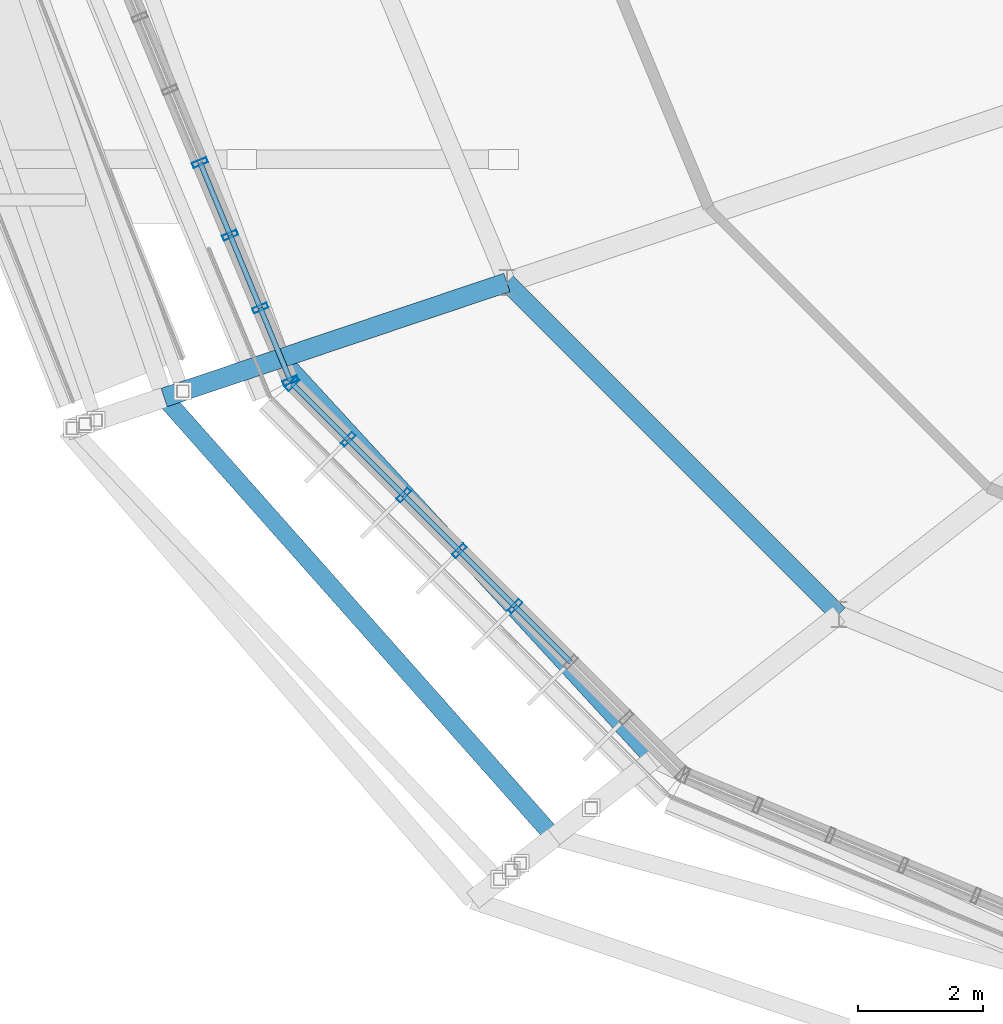
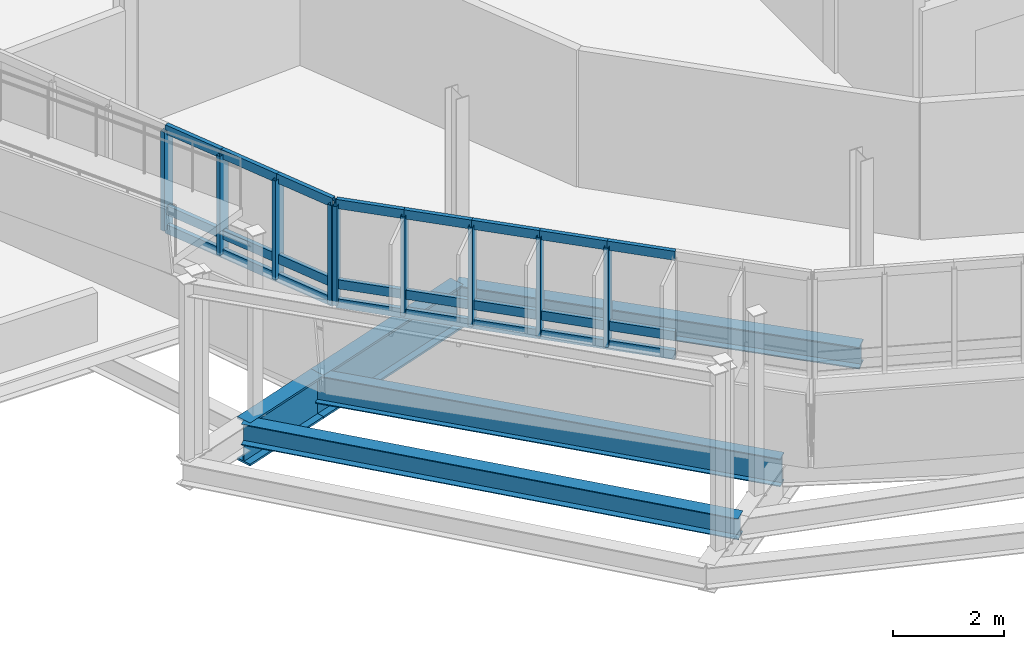
# One storey, part 10 of 61: 33 members, 5 beams, 2 elements without a shape of their own.
"""IFC4 building model written with IfcOpenShell, lengths in metres."""

from ifc_helpers import new_model, si_unit, derived_unit, direction, frame, origin, origin_2d, place, context, subcontext, project, spatial, hollow_rectangle, i_section, extrude, material, layer, layer_set, material_profile, profile_set, type_object, element, aggregate, save


model = new_model("IFC4")

# Units and contexts
model_context = context("Model", 3, precision=1e-05, world=origin(), true_north=direction((0.0, 1.0)))
body_context = subcontext(model_context, "Body", "Model", "MODEL_VIEW")
ifc_project = project(units=[si_unit("LENGTHUNIT", "METRE"), si_unit("AREAUNIT", "SQUARE_METRE"), si_unit("VOLUMEUNIT", "CUBIC_METRE"), si_unit("PLANEANGLEUNIT", "RADIAN"), si_unit("MASSUNIT", "GRAM", prefix="KILO"), derived_unit("THERMALTRANSMITTANCEUNIT", [(si_unit("MASSUNIT", "GRAM", prefix="KILO"), 1), (si_unit("TIMEUNIT", "SECOND"), -3), (si_unit("THERMODYNAMICTEMPERATUREUNIT", "KELVIN"), -1)])], contexts=[model_context])

# Site, building, storey
site_placement = place(None, origin())
site = spatial("IfcSite", under=ifc_project, at=site_placement, CompositionType="ELEMENT")
building_placement = place(site_placement, origin())
building = spatial("IfcBuilding", under=site, at=building_placement, Name="Makaiwela Harbour Ferry Terminal", CompositionType="ELEMENT")
storey_placement = place(building_placement, frame((0.0, 0.0, 13.800048828125)))
storey = spatial("IfcBuildingStorey", under=building, at=storey_placement, Name="L03", CompositionType="ELEMENT", Elevation=13.800048828125)

# Curtain wall, members
ifc_material_1 = material(Name="Marine anodised aluminium 6063-T6", Category="aluminium")
ifc_layer = layer(ifc_material_1, 0.199951171875)
ifc_layer_set = layer_set([ifc_layer], Name="Marine anodised aluminium 6063-T6")
curtain_wall_type = type_object("IfcCurtainWallType", Name="ENV-CW-05", PredefinedType="USERDEFINED", material=ifc_layer_set)
curtain_wall_1_placement = place(storey_placement, origin())
curtain_wall_1 = element("IfcCurtainWall", 1, at=curtain_wall_1_placement, inside=storey, type_object=curtain_wall_type, Name="Unitised Curtain Wall CWA-036", ObjectType="UNITIZED CURTAIN WALL", PredefinedType="USERDEFINED")
ifc_material_profile_1 = material_profile(ifc_material_1, hollow_rectangle(XDim=0.0849609375, YDim=0.25, WallThickness=0.0048828125, at=origin_2d()), Name="CWM-250X85")
ifc_profile_set_1 = profile_set([ifc_material_profile_1], Name="Marine anodised aluminium 6063-T6")
member_type_1 = type_object("IfcMemberType", Name="CW-MUL-250", PredefinedType="MULLION", material=ifc_profile_set_1)
member_1_placement = place(storey_placement, frame((16.1318359375, 59.29931640625, 1.47998046875), z_axis=(0.0, 0.0, 1.0), x_axis=(-0.382683432365, 0.923879532511, 0.0)))
member_1 = element("IfcMember", 2, at=member_1_placement, type_object=member_type_1, Name="Curtain Wall Mullion CWA-036-5", PredefinedType="MULLION", context=body_context, shape_type="SweptSolid", body=[
    extrude(hollow_rectangle(XDim=0.0849609375, YDim=0.25, WallThickness=0.0048828125, at=origin_2d()), origin(), (0.0, 0.0, 1.0), 2.179931640625),
])
member_2_placement = place(storey_placement, frame((16.614990234375, 58.133056640625, 1.47998046875), z_axis=(0.0, 0.0, 1.0), x_axis=(-0.382683432365, 0.923879532511, 0.0)))
member_2 = element("IfcMember", 3, at=member_2_placement, type_object=member_type_1, Name="Curtain Wall Mullion CWA-036-6", PredefinedType="MULLION", context=body_context, shape_type="SweptSolid", body=[
    extrude(hollow_rectangle(XDim=0.0849609375, YDim=0.25, WallThickness=0.0048828125, at=origin_2d()), origin(), (0.0, 0.0, 1.0), 2.179931640625),
])
member_3_placement = place(storey_placement, frame((17.097900390625, 56.966796875, 1.47998046875), z_axis=(0.0, 0.0, 1.0), x_axis=(-0.382683432365, 0.923879532511, 0.0)))
member_3 = element("IfcMember", 4, at=member_3_placement, type_object=member_type_1, Name="Curtain Wall Mullion CWA-036-7", PredefinedType="MULLION", context=body_context, shape_type="SweptSolid", body=[
    extrude(hollow_rectangle(XDim=0.0849609375, YDim=0.25, WallThickness=0.0048828125, at=origin_2d()), origin(), (0.0, 0.0, 1.0), 2.179931640625),
])
member_4_placement = place(storey_placement, frame((17.5810546875, 55.80078125, 1.47998046875), z_axis=(0.0, 0.0, 1.0), x_axis=(-0.382683432365, 0.923879532511, 0.0)))
member_4 = element("IfcMember", 5, at=member_4_placement, type_object=member_type_1, Name="Curtain Wall Mullion CWA-036-8", PredefinedType="MULLION", context=body_context, shape_type="SweptSolid", body=[
    extrude(hollow_rectangle(XDim=0.0849609375, YDim=0.25, WallThickness=0.0048828125, at=origin_2d()), origin(), (0.0, 0.0, 1.0), 2.179931640625),
])

curtain_wall_2_placement = place(storey_placement, origin())
curtain_wall_2 = element("IfcCurtainWall", 6, at=curtain_wall_2_placement, inside=storey, type_object=curtain_wall_type, Name="Unitised Curtain Wall CWA-037", ObjectType="UNITIZED CURTAIN WALL", PredefinedType="USERDEFINED")
member_5_placement = place(storey_placement, frame((17.61376953125, 55.751708984375, 1.47998046875), z_axis=(0.0, 0.0, 1.0), x_axis=(-0.707106781187, 0.707106781187, 0.0)))
member_5 = element("IfcMember", 7, at=member_5_placement, type_object=member_type_1, Name="Curtain Wall Mullion CWA-037-1", PredefinedType="MULLION", context=body_context, shape_type="SweptSolid", body=[
    extrude(hollow_rectangle(XDim=0.0849609375, YDim=0.25, WallThickness=0.0048828125, at=origin_2d()), origin(), (0.0, 0.0, 1.0), 2.179931640625),
])
member_6_placement = place(storey_placement, frame((18.50634765625, 54.859130859375, 1.47998046875), z_axis=(0.0, 0.0, 1.0), x_axis=(-0.707106781187, 0.707106781187, 0.0)))
member_6 = element("IfcMember", 8, at=member_6_placement, type_object=member_type_1, Name="Curtain Wall Mullion CWA-037-2", PredefinedType="MULLION", context=body_context, shape_type="SweptSolid", body=[
    extrude(hollow_rectangle(XDim=0.0849609375, YDim=0.25, WallThickness=0.0048828125, at=origin_2d()), origin(), (0.0, 0.0, 1.0), 2.179931640625),
])
member_7_placement = place(storey_placement, frame((19.39892578125, 53.966552734375, 1.47998046875), z_axis=(0.0, 0.0, 1.0), x_axis=(-0.707106781187, 0.707106781187, 0.0)))
member_7 = element("IfcMember", 9, at=member_7_placement, type_object=member_type_1, Name="Curtain Wall Mullion CWA-037-3", PredefinedType="MULLION", context=body_context, shape_type="SweptSolid", body=[
    extrude(hollow_rectangle(XDim=0.0849609375, YDim=0.25, WallThickness=0.0048828125, at=origin_2d()), origin(), (0.0, 0.0, 1.0), 2.179931640625),
])
member_8_placement = place(storey_placement, frame((20.29150390625, 53.073974609375, 1.47998046875), z_axis=(0.0, 0.0, 1.0), x_axis=(-0.707106781187, 0.707106781187, 0.0)))
member_8 = element("IfcMember", 10, at=member_8_placement, type_object=member_type_1, Name="Curtain Wall Mullion CWA-037-4", PredefinedType="MULLION", context=body_context, shape_type="SweptSolid", body=[
    extrude(hollow_rectangle(XDim=0.0849609375, YDim=0.25, WallThickness=0.0048828125, at=origin_2d()), origin(), (0.0, 0.0, 1.0), 2.179931640625),
])
member_9_placement = place(storey_placement, frame((21.18408203125, 52.181396484375, 1.47998046875), z_axis=(0.0, 0.0, 1.0), x_axis=(-0.707106781187, 0.707106781187, 0.0)))
member_9 = element("IfcMember", 11, at=member_9_placement, type_object=member_type_1, Name="Curtain Wall Mullion CWA-037-5", PredefinedType="MULLION", context=body_context, shape_type="SweptSolid", body=[
    extrude(hollow_rectangle(XDim=0.0849609375, YDim=0.25, WallThickness=0.0048828125, at=origin_2d()), origin(), (0.0, 0.0, 1.0), 2.179931640625),
])

# Member
ifc_material_profile_2 = material_profile(ifc_material_1, hollow_rectangle(XDim=0.0849609375, YDim=0.199951171875, WallThickness=0.0048828125, at=origin_2d()), Name="CWT-200X85")
ifc_profile_set_2 = profile_set([ifc_material_profile_2], Name="Marine anodised aluminium 6063-T6")
member_type_2 = type_object("IfcMemberType", Name="CW-TRN-200", PredefinedType="USERDEFINED", material=ifc_profile_set_2)
member_10_placement = place(storey_placement, frame((16.1318359375, 59.29931640625, 1.47998046875), z_axis=(0.38273325349, -0.923858894352, 0.0), x_axis=(0.923858894352, 0.38273325349, 0.0)))
member_10 = element("IfcMember", 12, at=member_10_placement, type_object=member_type_2, Name="Curtain Wall Transom CWA-036-5-1", ObjectType="TRANSOM", PredefinedType="USERDEFINED", context=body_context, shape_type="SweptSolid", body=[
    extrude(hollow_rectangle(XDim=0.0849609375, YDim=0.199951171875, WallThickness=0.0048828125, at=origin_2d()), origin(), (0.0, 0.0, 1.0), 1.262451171875),
])

member_11_placement = place(storey_placement, frame((16.1318359375, 59.29931640625, 1.89990234375), z_axis=(0.38273325349, -0.923858894352, 0.0), x_axis=(0.923858894352, 0.38273325349, 0.0)))
member_11 = element("IfcMember", 13, at=member_11_placement, type_object=member_type_2, Name="Curtain Wall Transom CWA-036-5-2", ObjectType="TRANSOM", PredefinedType="USERDEFINED", context=body_context, shape_type="SweptSolid", body=[
    extrude(hollow_rectangle(XDim=0.0849609375, YDim=0.199951171875, WallThickness=0.0048828125, at=origin_2d()), origin(), (0.0, 0.0, 1.0), 1.262451171875),
])

member_12_placement = place(storey_placement, frame((16.1318359375, 59.29931640625, 3.659912109375), z_axis=(0.38273325349, -0.923858894352, 0.0), x_axis=(0.923858894352, 0.38273325349, 0.0)))
member_12 = element("IfcMember", 14, at=member_12_placement, type_object=member_type_2, Name="Curtain Wall Transom CWA-036-5-3", ObjectType="TRANSOM", PredefinedType="USERDEFINED", context=body_context, shape_type="SweptSolid", body=[
    extrude(hollow_rectangle(XDim=0.0849609375, YDim=0.199951171875, WallThickness=0.0048828125, at=origin_2d()), origin(), (0.0, 0.0, 1.0), 1.262451171875),
])

member_13_placement = place(storey_placement, frame((16.614990234375, 58.133056640625, 1.47998046875), z_axis=(0.382568167619, -0.923927268309, 0.0), x_axis=(0.923927268309, 0.382568167619, 0.0)))
member_13 = element("IfcMember", 15, at=member_13_placement, type_object=member_type_2, Name="Curtain Wall Transom CWA-036-6-1", ObjectType="TRANSOM", PredefinedType="USERDEFINED", context=body_context, shape_type="SweptSolid", body=[
    extrude(hollow_rectangle(XDim=0.0849609375, YDim=0.199951171875, WallThickness=0.0048828125, at=origin_2d()), origin(), (0.0, 0.0, 1.0), 1.26220703125),
])

member_14_placement = place(storey_placement, frame((16.614990234375, 58.133056640625, 1.89990234375), z_axis=(0.382568167619, -0.923927268309, 0.0), x_axis=(0.923927268309, 0.382568167619, 0.0)))
member_14 = element("IfcMember", 16, at=member_14_placement, type_object=member_type_2, Name="Curtain Wall Transom CWA-036-6-2", ObjectType="TRANSOM", PredefinedType="USERDEFINED", context=body_context, shape_type="SweptSolid", body=[
    extrude(hollow_rectangle(XDim=0.0849609375, YDim=0.199951171875, WallThickness=0.0048828125, at=origin_2d()), origin(), (0.0, 0.0, 1.0), 1.26220703125),
])

member_15_placement = place(storey_placement, frame((16.614990234375, 58.133056640625, 3.659912109375), z_axis=(0.382568167619, -0.923927268309, 0.0), x_axis=(0.923927268309, 0.382568167619, 0.0)))
member_15 = element("IfcMember", 17, at=member_15_placement, type_object=member_type_2, Name="Curtain Wall Transom CWA-036-6-3", ObjectType="TRANSOM", PredefinedType="USERDEFINED", context=body_context, shape_type="SweptSolid", body=[
    extrude(hollow_rectangle(XDim=0.0849609375, YDim=0.199951171875, WallThickness=0.0048828125, at=origin_2d()), origin(), (0.0, 0.0, 1.0), 1.26220703125),
])

member_16_placement = place(storey_placement, frame((17.097900390625, 56.966796875, 1.47998046875), z_axis=(0.382801648306, -0.923830557004, 0.0), x_axis=(0.923830557004, 0.382801648306, 0.0)))
member_16 = element("IfcMember", 18, at=member_16_placement, type_object=member_type_2, Name="Curtain Wall Transom CWA-036-7-1", ObjectType="TRANSOM", PredefinedType="USERDEFINED", context=body_context, shape_type="SweptSolid", body=[
    extrude(hollow_rectangle(XDim=0.0849609375, YDim=0.199951171875, WallThickness=0.0048828125, at=origin_2d()), origin(), (0.0, 0.0, 1.0), 1.26220703125),
])

member_17_placement = place(storey_placement, frame((17.097900390625, 56.966796875, 1.89990234375), z_axis=(0.382801648306, -0.923830557004, 0.0), x_axis=(0.923830557004, 0.382801648306, 0.0)))
member_17 = element("IfcMember", 19, at=member_17_placement, type_object=member_type_2, Name="Curtain Wall Transom CWA-036-7-2", ObjectType="TRANSOM", PredefinedType="USERDEFINED", context=body_context, shape_type="SweptSolid", body=[
    extrude(hollow_rectangle(XDim=0.0849609375, YDim=0.199951171875, WallThickness=0.0048828125, at=origin_2d()), origin(), (0.0, 0.0, 1.0), 1.26220703125),
])

member_18_placement = place(storey_placement, frame((17.097900390625, 56.966796875, 3.659912109375), z_axis=(0.382801648306, -0.923830557004, 0.0), x_axis=(0.923830557004, 0.382801648306, 0.0)))
member_18 = element("IfcMember", 20, at=member_18_placement, type_object=member_type_2, Name="Curtain Wall Transom CWA-036-7-3", ObjectType="TRANSOM", PredefinedType="USERDEFINED", context=body_context, shape_type="SweptSolid", body=[
    extrude(hollow_rectangle(XDim=0.0849609375, YDim=0.199951171875, WallThickness=0.0048828125, at=origin_2d()), origin(), (0.0, 0.0, 1.0), 1.26220703125),
])

aggregate(curtain_wall_1, [member_1, member_2, member_3, member_4, member_10, member_11, member_12, member_13, member_14, member_15, member_16, member_17, member_18])

member_19_placement = place(storey_placement, frame((17.61376953125, 55.751708984375, 1.47998046875), z_axis=(0.707106781187, -0.707106781187, 0.0), x_axis=(0.707106781187, 0.707106781187, 0.0)))
member_19 = element("IfcMember", 21, at=member_19_placement, type_object=member_type_2, Name="Curtain Wall Transom CWA-037-1-1", ObjectType="TRANSOM", PredefinedType="USERDEFINED", context=body_context, shape_type="SweptSolid", body=[
    extrude(hollow_rectangle(XDim=0.0849609375, YDim=0.199951171875, WallThickness=0.0048828125, at=origin_2d()), origin(), (0.0, 0.0, 1.0), 1.26220703125),
])

member_20_placement = place(storey_placement, frame((17.61376953125, 55.751708984375, 1.89990234375), z_axis=(0.707106781187, -0.707106781187, 0.0), x_axis=(0.707106781187, 0.707106781187, 0.0)))
member_20 = element("IfcMember", 22, at=member_20_placement, type_object=member_type_2, Name="Curtain Wall Transom CWA-037-1-2", ObjectType="TRANSOM", PredefinedType="USERDEFINED", context=body_context, shape_type="SweptSolid", body=[
    extrude(hollow_rectangle(XDim=0.0849609375, YDim=0.199951171875, WallThickness=0.0048828125, at=origin_2d()), origin(), (0.0, 0.0, 1.0), 1.26220703125),
])

member_21_placement = place(storey_placement, frame((17.61376953125, 55.751708984375, 3.659912109375), z_axis=(0.707106781187, -0.707106781187, 0.0), x_axis=(0.707106781187, 0.707106781187, 0.0)))
member_21 = element("IfcMember", 23, at=member_21_placement, type_object=member_type_2, Name="Curtain Wall Transom CWA-037-1-3", ObjectType="TRANSOM", PredefinedType="USERDEFINED", context=body_context, shape_type="SweptSolid", body=[
    extrude(hollow_rectangle(XDim=0.0849609375, YDim=0.199951171875, WallThickness=0.0048828125, at=origin_2d()), origin(), (0.0, 0.0, 1.0), 1.26220703125),
])

member_22_placement = place(storey_placement, frame((18.50634765625, 54.859130859375, 1.47998046875), z_axis=(0.707106781187, -0.707106781187, 0.0), x_axis=(0.707106781187, 0.707106781187, 0.0)))
member_22 = element("IfcMember", 24, at=member_22_placement, type_object=member_type_2, Name="Curtain Wall Transom CWA-037-2-1", ObjectType="TRANSOM", PredefinedType="USERDEFINED", context=body_context, shape_type="SweptSolid", body=[
    extrude(hollow_rectangle(XDim=0.0849609375, YDim=0.199951171875, WallThickness=0.0048828125, at=origin_2d()), origin(), (0.0, 0.0, 1.0), 1.26220703125),
])

member_23_placement = place(storey_placement, frame((18.50634765625, 54.859130859375, 1.89990234375), z_axis=(0.707106781187, -0.707106781187, 0.0), x_axis=(0.707106781187, 0.707106781187, 0.0)))
member_23 = element("IfcMember", 25, at=member_23_placement, type_object=member_type_2, Name="Curtain Wall Transom CWA-037-2-2", ObjectType="TRANSOM", PredefinedType="USERDEFINED", context=body_context, shape_type="SweptSolid", body=[
    extrude(hollow_rectangle(XDim=0.0849609375, YDim=0.199951171875, WallThickness=0.0048828125, at=origin_2d()), origin(), (0.0, 0.0, 1.0), 1.26220703125),
])

member_24_placement = place(storey_placement, frame((18.50634765625, 54.859130859375, 3.659912109375), z_axis=(0.707106781187, -0.707106781187, 0.0), x_axis=(0.707106781187, 0.707106781187, 0.0)))
member_24 = element("IfcMember", 26, at=member_24_placement, type_object=member_type_2, Name="Curtain Wall Transom CWA-037-2-3", ObjectType="TRANSOM", PredefinedType="USERDEFINED", context=body_context, shape_type="SweptSolid", body=[
    extrude(hollow_rectangle(XDim=0.0849609375, YDim=0.199951171875, WallThickness=0.0048828125, at=origin_2d()), origin(), (0.0, 0.0, 1.0), 1.26220703125),
])

member_25_placement = place(storey_placement, frame((19.39892578125, 53.966552734375, 1.47998046875), z_axis=(0.707106781187, -0.707106781187, 0.0), x_axis=(0.707106781187, 0.707106781187, 0.0)))
member_25 = element("IfcMember", 27, at=member_25_placement, type_object=member_type_2, Name="Curtain Wall Transom CWA-037-3-1", ObjectType="TRANSOM", PredefinedType="USERDEFINED", context=body_context, shape_type="SweptSolid", body=[
    extrude(hollow_rectangle(XDim=0.0849609375, YDim=0.199951171875, WallThickness=0.0048828125, at=origin_2d()), origin(), (0.0, 0.0, 1.0), 1.26220703125),
])

member_26_placement = place(storey_placement, frame((19.39892578125, 53.966552734375, 1.89990234375), z_axis=(0.707106781187, -0.707106781187, 0.0), x_axis=(0.707106781187, 0.707106781187, 0.0)))
member_26 = element("IfcMember", 28, at=member_26_placement, type_object=member_type_2, Name="Curtain Wall Transom CWA-037-3-2", ObjectType="TRANSOM", PredefinedType="USERDEFINED", context=body_context, shape_type="SweptSolid", body=[
    extrude(hollow_rectangle(XDim=0.0849609375, YDim=0.199951171875, WallThickness=0.0048828125, at=origin_2d()), origin(), (0.0, 0.0, 1.0), 1.26220703125),
])

member_27_placement = place(storey_placement, frame((19.39892578125, 53.966552734375, 3.659912109375), z_axis=(0.707106781187, -0.707106781187, 0.0), x_axis=(0.707106781187, 0.707106781187, 0.0)))
member_27 = element("IfcMember", 29, at=member_27_placement, type_object=member_type_2, Name="Curtain Wall Transom CWA-037-3-3", ObjectType="TRANSOM", PredefinedType="USERDEFINED", context=body_context, shape_type="SweptSolid", body=[
    extrude(hollow_rectangle(XDim=0.0849609375, YDim=0.199951171875, WallThickness=0.0048828125, at=origin_2d()), origin(), (0.0, 0.0, 1.0), 1.26220703125),
])

member_28_placement = place(storey_placement, frame((20.29150390625, 53.073974609375, 1.47998046875), z_axis=(0.707106781187, -0.707106781187, 0.0), x_axis=(0.707106781187, 0.707106781187, 0.0)))
member_28 = element("IfcMember", 30, at=member_28_placement, type_object=member_type_2, Name="Curtain Wall Transom CWA-037-4-1", ObjectType="TRANSOM", PredefinedType="USERDEFINED", context=body_context, shape_type="SweptSolid", body=[
    extrude(hollow_rectangle(XDim=0.0849609375, YDim=0.199951171875, WallThickness=0.0048828125, at=origin_2d()), origin(), (0.0, 0.0, 1.0), 1.26220703125),
])

member_29_placement = place(storey_placement, frame((20.29150390625, 53.073974609375, 1.89990234375), z_axis=(0.707106781187, -0.707106781187, 0.0), x_axis=(0.707106781187, 0.707106781187, 0.0)))
member_29 = element("IfcMember", 31, at=member_29_placement, type_object=member_type_2, Name="Curtain Wall Transom CWA-037-4-2", ObjectType="TRANSOM", PredefinedType="USERDEFINED", context=body_context, shape_type="SweptSolid", body=[
    extrude(hollow_rectangle(XDim=0.0849609375, YDim=0.199951171875, WallThickness=0.0048828125, at=origin_2d()), origin(), (0.0, 0.0, 1.0), 1.26220703125),
])

member_30_placement = place(storey_placement, frame((20.29150390625, 53.073974609375, 3.659912109375), z_axis=(0.707106781187, -0.707106781187, 0.0), x_axis=(0.707106781187, 0.707106781187, 0.0)))
member_30 = element("IfcMember", 32, at=member_30_placement, type_object=member_type_2, Name="Curtain Wall Transom CWA-037-4-3", ObjectType="TRANSOM", PredefinedType="USERDEFINED", context=body_context, shape_type="SweptSolid", body=[
    extrude(hollow_rectangle(XDim=0.0849609375, YDim=0.199951171875, WallThickness=0.0048828125, at=origin_2d()), origin(), (0.0, 0.0, 1.0), 1.26220703125),
])

member_31_placement = place(storey_placement, frame((21.18408203125, 52.181396484375, 1.47998046875), z_axis=(0.707106781187, -0.707106781187, 0.0), x_axis=(0.707106781187, 0.707106781187, 0.0)))
member_31 = element("IfcMember", 33, at=member_31_placement, type_object=member_type_2, Name="Curtain Wall Transom CWA-037-5-1", ObjectType="TRANSOM", PredefinedType="USERDEFINED", context=body_context, shape_type="SweptSolid", body=[
    extrude(hollow_rectangle(XDim=0.0849609375, YDim=0.199951171875, WallThickness=0.0048828125, at=origin_2d()), origin(), (0.0, 0.0, 1.0), 1.26220703125),
])

member_32_placement = place(storey_placement, frame((21.18408203125, 52.181396484375, 1.89990234375), z_axis=(0.707106781187, -0.707106781187, 0.0), x_axis=(0.707106781187, 0.707106781187, 0.0)))
member_32 = element("IfcMember", 34, at=member_32_placement, type_object=member_type_2, Name="Curtain Wall Transom CWA-037-5-2", ObjectType="TRANSOM", PredefinedType="USERDEFINED", context=body_context, shape_type="SweptSolid", body=[
    extrude(hollow_rectangle(XDim=0.0849609375, YDim=0.199951171875, WallThickness=0.0048828125, at=origin_2d()), origin(), (0.0, 0.0, 1.0), 1.26220703125),
])

member_33_placement = place(storey_placement, frame((21.18408203125, 52.181396484375, 3.659912109375), z_axis=(0.707106781187, -0.707106781187, 0.0), x_axis=(0.707106781187, 0.707106781187, 0.0)))
member_33 = element("IfcMember", 35, at=member_33_placement, type_object=member_type_2, Name="Curtain Wall Transom CWA-037-5-3", ObjectType="TRANSOM", PredefinedType="USERDEFINED", context=body_context, shape_type="SweptSolid", body=[
    extrude(hollow_rectangle(XDim=0.0849609375, YDim=0.199951171875, WallThickness=0.0048828125, at=origin_2d()), origin(), (0.0, 0.0, 1.0), 1.26220703125),
])

aggregate(curtain_wall_2, [member_5, member_6, member_7, member_8, member_9, member_19, member_20, member_21, member_22, member_23, member_24, member_25, member_26, member_27, member_28, member_29, member_30, member_31, member_32, member_33])

# Beams
ifc_material_2 = material(Name="Steel ASTM A992 Grade 50", Category="steel")
ifc_material_profile_3 = material_profile(ifc_material_2, i_section(OverallWidth=0.280029296875, OverallDepth=0.462890625, WebThickness=0.0107421875, FlangeThickness=0.017333984375, at=origin_2d()), Name="W18X76")
ifc_profile_set_3 = profile_set([ifc_material_profile_3], Name="Steel ASTM A992 Grade 50")
beam_type_1 = type_object("IfcBeamType", Name="STR-BM-W18X76", PredefinedType="BEAM", material=ifc_profile_set_3)
beam_1_placement = place(storey_placement, frame((15.55419921875, 55.531494140625, -0.486572265625), z_axis=(0.663557769393, -0.748125047488, 0.0), x_axis=(0.748125047488, 0.663557769393, 0.0)))
element("IfcBeam", 36, at=beam_1_placement, inside=storey, type_object=beam_type_1, Name="Drum stage2 tie girder 347", PredefinedType="BEAM", context=body_context, shape_type="SweptSolid", body=[
    extrude(i_section(OverallWidth=0.280029296875, OverallDepth=0.462890625, WebThickness=0.0107421875, FlangeThickness=0.017333984375, at=origin_2d()), origin(), (0.0, 0.0, 1.0), 9.4228515625),
])
ifc_material_profile_4 = material_profile(ifc_material_2, i_section(OverallWidth=0.22900390625, OverallDepth=0.612060546875, WebThickness=0.011962890625, FlangeThickness=0.01953125, at=origin_2d()), Name="W24X84")
ifc_profile_set_4 = profile_set([ifc_material_profile_4], Name="Steel ASTM A992 Grade 50")
beam_type_2 = type_object("IfcBeamType", Name="STR-GRD-W24X84", PredefinedType="USERDEFINED", material=ifc_profile_set_4)
beam_2_placement = place(storey_placement, frame((17.4501953125, 56.168212890625, -0.56103515625), z_axis=(0.676696289264, -0.73626227127, 0.0), x_axis=(0.73626227127, 0.676696289264, 0.0)))
element("IfcBeam", 37, at=beam_2_placement, inside=storey, type_object=beam_type_2, Name="Drum overhang tie girder 346", ObjectType="GIRDER", PredefinedType="USERDEFINED", context=body_context, shape_type="SweptSolid", body=[
    extrude(i_section(OverallWidth=0.22900390625, OverallDepth=0.612060546875, WebThickness=0.011962890625, FlangeThickness=0.01953125, at=origin_2d()), origin(), (0.0, 0.0, 1.0), 8.76708984375),
])
ifc_material_profile_5 = material_profile(ifc_material_2, i_section(OverallWidth=0.31005859375, OverallDepth=0.949951171875, WebThickness=0.0244140625, FlangeThickness=0.0439453125, at=origin_2d()), Name="W36X256")
ifc_profile_set_5 = profile_set([ifc_material_profile_5], Name="Steel ASTM A992 Grade 50")
beam_type_3 = type_object("IfcBeamType", Name="STR-GRD-W36X256", PredefinedType="USERDEFINED", material=ifc_profile_set_5)
beam_3_placement = place(storey_placement, frame((21.052490234375, 57.37744140625, -0.72998046875), z_axis=(-0.948012977156, -0.318231668984, 0.0), x_axis=(0.318231668984, -0.948012977156, 0.0)))
element("IfcBeam", 38, at=beam_3_placement, inside=storey, type_object=beam_type_3, Name="Drum radial overhang 306", ObjectType="GIRDER", PredefinedType="USERDEFINED", context=body_context, shape_type="SweptSolid", body=[
    extrude(i_section(OverallWidth=0.31005859375, OverallDepth=0.949951171875, WebThickness=0.0244140625, FlangeThickness=0.0439453125, at=origin_2d()), origin(), (0.0, 0.0, 1.0), 3.7998046875),
])
beam_4_placement = place(storey_placement, frame((17.4501953125, 56.168212890625, -0.72998046875), z_axis=(-0.947972931362, -0.318350940638, 0.0), x_axis=(0.318350940638, -0.947972931362, 0.0)))
element("IfcBeam", 39, at=beam_4_placement, inside=storey, type_object=beam_type_3, Name="Drum overhang radial girder 307", ObjectType="GIRDER", PredefinedType="USERDEFINED", context=body_context, shape_type="SweptSolid", body=[
    extrude(i_section(OverallWidth=0.31005859375, OverallDepth=0.949951171875, WebThickness=0.0244140625, FlangeThickness=0.0439453125, at=origin_2d()), origin(), (0.0, 0.0, 1.0), 2.0),
])
ifc_material_profile_6 = material_profile(ifc_material_2, i_section(OverallWidth=0.283935546875, OverallDepth=0.47607421875, WebThickness=0.014892578125, FlangeThickness=0.02392578125, at=origin_2d()), Name="W18X106")
ifc_profile_set_6 = profile_set([ifc_material_profile_6], Name="Steel ASTM A992 Grade 50")
beam_type_4 = type_object("IfcBeamType", Name="STR-SPN-W18X106", PredefinedType="SPANDREL", material=ifc_profile_set_6)
beam_5_placement = place(storey_placement, frame((21.052490234375, 57.37744140625, -0.4931640625), z_axis=(0.707106781187, -0.707106781187, 0.0), x_axis=(0.707106781187, 0.707106781187, 0.0)))
element("IfcBeam", 40, at=beam_5_placement, inside=storey, type_object=beam_type_4, Name="Drum column ring girder 264", PredefinedType="SPANDREL", context=body_context, shape_type="SweptSolid", body=[
    extrude(i_section(OverallWidth=0.283935546875, OverallDepth=0.47607421875, WebThickness=0.014892578125, FlangeThickness=0.02392578125, at=origin_2d()), origin(), (0.0, 0.0, 1.0), 7.530517578125),
])

save(model, "model.ifc")
